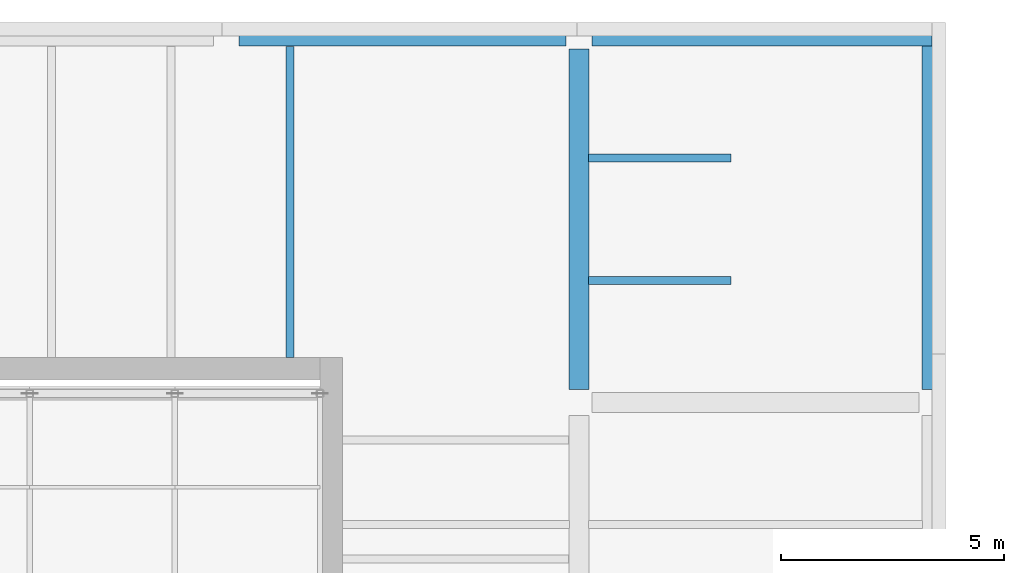
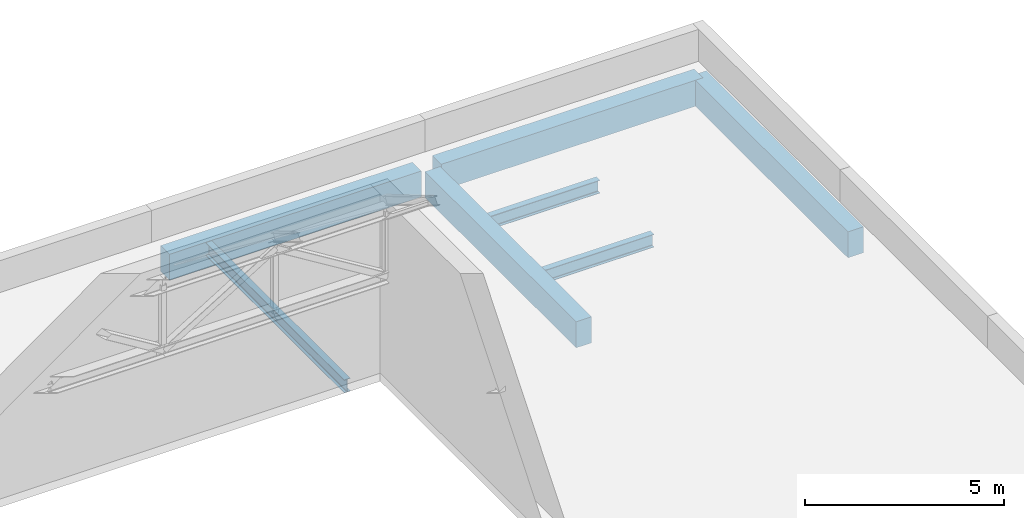
# One storey, part 57 of 132: 7 beams.
"""IFC4 building model written with IfcOpenShell, lengths in metres."""

from ifc_helpers import new_model, si_unit, direction, frame, origin, origin_2d, place, context, subcontext, project, spatial, rectangle, i_section, extrude, material, material_profile, profile_set, type_object, element, save


model = new_model("IFC4")

# Units and contexts
model_context = context("Model", 3, precision=1e-05, world=origin(), true_north=direction((0.0, 1.0)))
body_context = subcontext(model_context, "Body", "Model", "MODEL_VIEW")
ifc_project = project(units=[si_unit("LENGTHUNIT", "METRE"), si_unit("AREAUNIT", "SQUARE_METRE"), si_unit("VOLUMEUNIT", "CUBIC_METRE"), si_unit("PLANEANGLEUNIT", "RADIAN"), si_unit("MASSUNIT", "GRAM", prefix="KILO")], contexts=[model_context])

# Site, building, storey
site_placement = place(None, origin())
site = spatial("IfcSite", under=ifc_project, at=site_placement, CompositionType="ELEMENT")
building_placement = place(site_placement, origin())
building = spatial("IfcBuilding", under=site, at=building_placement, Name="Lunette Opera House", CompositionType="ELEMENT")
storey_placement = place(building_placement, frame((0.0, 0.0, 17.0)))
storey = spatial("IfcBuildingStorey", under=building, at=storey_placement, Name="L03", CompositionType="ELEMENT", Elevation=17.0)

# Beams
ifc_material_1 = material(Name="Concrete C35/45", Category="concrete")
ifc_material_profile_1 = material_profile(ifc_material_1, rectangle(XDim=0.449951171875, YDim=0.800048828125, at=origin_2d()), Name="RC BEAM 450X800")
ifc_profile_set_1 = profile_set([ifc_material_profile_1], Name="Concrete C35/45")
beam_type_1 = type_object("IfcBeamType", Name="RC BEAM 450X800", PredefinedType="BEAM", material=ifc_profile_set_1)
beam_1_placement = place(storey_placement, frame((175.800048828125, 127.7900390625, -0.64990234375), z_axis=(0.0, 1.0, 0.0), x_axis=(-1.0, 0.0, 0.0)))
element("IfcBeam", 1, at=beam_1_placement, inside=storey, type_object=beam_type_1, Name="beam-WW-L03-L03-GY56", PredefinedType="BEAM", context=body_context, shape_type="SweptSolid", body=[
    extrude(rectangle(XDim=0.449951171875, YDim=0.800048828125, at=origin_2d()), origin(), (0.0, 0.0, 1.0), 7.619873046875),
])
beam_2_placement = place(storey_placement, frame((183.699951171875, 127.7900390625, -0.64990234375), z_axis=(0.0, 1.0, 0.0), x_axis=(-1.0, 0.0, 0.0)))
element("IfcBeam", 2, at=beam_2_placement, inside=storey, type_object=beam_type_1, Name="beam-WW-L03-L03-GY66", PredefinedType="BEAM", context=body_context, shape_type="SweptSolid", body=[
    extrude(rectangle(XDim=0.449951171875, YDim=0.800048828125, at=origin_2d()), origin(), (0.0, 0.0, 1.0), 7.909912109375),
])
beam_3_placement = place(storey_placement, frame((168.18994140625, 135.699951171875, -0.64990234375), z_axis=(1.0, 0.0, 0.0), x_axis=(0.0, 1.0, 0.0)))
element("IfcBeam", 3, at=beam_3_placement, inside=storey, type_object=beam_type_1, Name="beam-WW-L03-L03-GX47", PredefinedType="BEAM", context=body_context, shape_type="SweptSolid", body=[
    extrude(rectangle(XDim=0.449951171875, YDim=0.800048828125, at=origin_2d()), origin(), (0.0, 0.0, 1.0), 7.320068359375),
])
beam_4_placement = place(storey_placement, frame((176.090087890625, 135.699951171875, -0.64990234375), z_axis=(1.0, 0.0, 0.0), x_axis=(0.0, 1.0, 0.0)))
element("IfcBeam", 4, at=beam_4_placement, inside=storey, type_object=beam_type_1, Name="beam-WW-L03-L03-GX57", PredefinedType="BEAM", context=body_context, shape_type="SweptSolid", body=[
    extrude(rectangle(XDim=0.449951171875, YDim=0.800048828125, at=origin_2d()), origin(), (0.0, 0.0, 1.0), 7.60986328125),
])
ifc_material_2 = material(Name="Steel S355", Category="steel")
ifc_material_profile_2 = material_profile(ifc_material_2, i_section(OverallWidth=0.179931640625, OverallDepth=0.39990234375, WebThickness=0.008544921875, FlangeThickness=0.013427734375, FilletRadius=0.02099609375, at=origin_2d()), Name="IPE 400")
ifc_profile_set_2 = profile_set([ifc_material_profile_2], Name="Steel S355")
beam_type_2 = type_object("IfcBeamType", Name="STEEL BEAM IPE 400", PredefinedType="BEAM", material=ifc_profile_set_2)
for number, where, z_axis, x_axis, name in (
    (5, (176.014892578125, 130.23291015625, -0.449951171875), (1.0, 0.0, 0.0), (0.0, 1.0, 0.0), "beam-WW-L03-L03-SX561"),
    (6, (176.014892578125, 132.967041015625, -0.449951171875), (1.0, 0.0, 0.0), (0.0, 1.0, 0.0), "beam-WW-L03-L03-SX562"),
):
    element("IfcBeam", number, at=place(storey_placement, frame(where, z_axis=z_axis, x_axis=x_axis)), inside=storey, type_object=beam_type_2, Name=name, PredefinedType="BEAM", context=body_context, shape_type="SweptSolid", body=[
        extrude(i_section(OverallWidth=0.179931640625, OverallDepth=0.39990234375, WebThickness=0.008544921875, FlangeThickness=0.013427734375, FilletRadius=0.02099609375, at=origin_2d()), origin(), (0.0, 0.0, 1.0), 3.18505859375),
    ])
beam_5_placement = place(storey_placement, frame((169.330078125, 128.5, -0.449951171875), z_axis=(0.0, 1.0, 0.0), x_axis=(-1.0, 0.0, 0.0)))
element("IfcBeam", 7, at=beam_5_placement, inside=storey, type_object=beam_type_2, Name="beam-WW-L03-L03-RJN1441049", PredefinedType="BEAM", context=body_context, shape_type="SweptSolid", body=[
    extrude(i_section(OverallWidth=0.179931640625, OverallDepth=0.39990234375, WebThickness=0.008544921875, FlangeThickness=0.013427734375, FilletRadius=0.02099609375, at=origin_2d()), origin(), (0.0, 0.0, 1.0), 6.965087890625),
])

save(model, "model.ifc")
